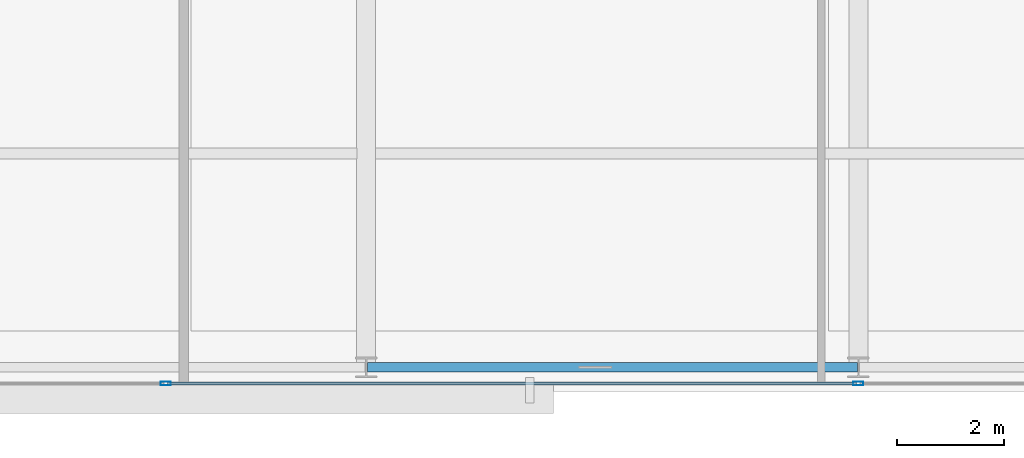
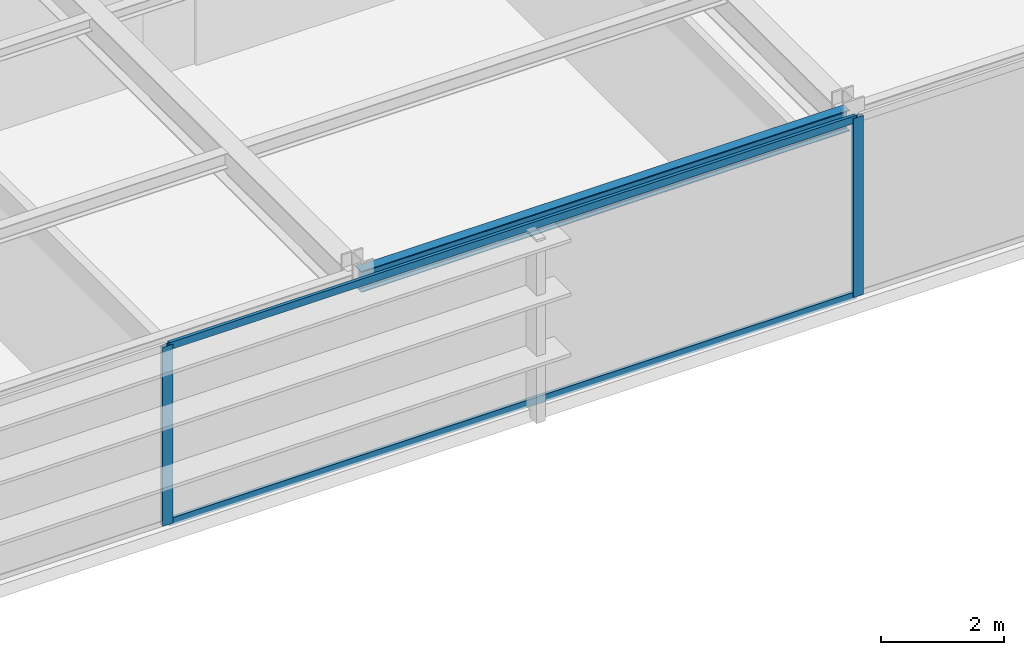
# One storey, part 8 of 33: 4 members, 1 beam, 1 element without a shape of its own.
"""IFC4 building model written with IfcOpenShell, lengths in metres."""

from ifc_helpers import new_model, si_unit, direction, frame, origin, origin_2d, place, context, subcontext, project, spatial, hollow_rectangle, i_section, extrude, source, transform, mapped, material, layer, layer_set, material_profile, profile_set, type_object, type_shapes, element, aggregate, save


model = new_model("IFC4")

# Units and contexts
model_context = context("Model", 3, precision=1e-05, world=origin(), true_north=direction((0.0, 1.0)))
body_context = subcontext(model_context, "Body", "Model", "MODEL_VIEW")
ifc_project = project(units=[si_unit("LENGTHUNIT", "METRE"), si_unit("AREAUNIT", "SQUARE_METRE"), si_unit("VOLUMEUNIT", "CUBIC_METRE"), si_unit("PLANEANGLEUNIT", "RADIAN"), si_unit("MASSUNIT", "GRAM", prefix="KILO")], contexts=[model_context])

# Site, building, storey
site_placement = place(None, origin())
site = spatial("IfcSite", under=ifc_project, at=site_placement, CompositionType="ELEMENT")
building_placement = place(site_placement, origin())
building = spatial("IfcBuilding", under=site, at=building_placement, Name="Varnel Quay Broadcast Tower", CompositionType="ELEMENT")
storey_placement = place(building_placement, frame((0.0, 0.0, 129.60009765625)))
storey = spatial("IfcBuildingStorey", under=building, at=storey_placement, Name="L31", CompositionType="ELEMENT", Elevation=129.60009765625)

# Beam
ifc_material_1 = material(Name="Structural Steel CSA G40.21 350W", Category="steel")
ifc_material_profile_1 = material_profile(ifc_material_1, i_section(OverallWidth=0.180908203125, OverallDepth=0.4169921875, WebThickness=0.010986328125, FlangeThickness=0.018310546875, FilletRadius=0.011962890625, at=origin_2d()), Name="W410X85")
ifc_profile_set_1 = profile_set([ifc_material_profile_1], Name="Structural Steel CSA G40.21 350W")
beam_type = type_object("IfcBeamType", Name="Beam_W410X85", PredefinedType="SPANDREL", material=ifc_profile_set_1)
shared_shape_1 = source(origin(), body_context, "Body", "SweptSolid", [
    extrude(i_section(OverallWidth=0.180908203125, OverallDepth=0.4169921875, WebThickness=0.010986328125, FlangeThickness=0.018310546875, FilletRadius=0.011962890625, at=origin_2d()), origin(), (0.0, 0.0, 1.0), 9.159912109375),
])
type_shapes(beam_type, [shared_shape_1])
beam_placement = place(storey_placement, frame((24.820068359375, 4.64990234375, 3.34130859375), z_axis=(1.0, 0.0, 0.0), x_axis=(0.0, 1.0, 0.0)))
element("IfcBeam", 1, at=beam_placement, inside=storey, type_object=beam_type, Name="L31 South Spandrel TC-S2-TC-S3", PredefinedType="SPANDREL", context=body_context, shape_type="MappedRepresentation", body=[
    mapped(shared_shape_1, transform((0.0, 0.0, 0.0), x_axis=(1.0, 0.0, 0.0), y_axis=(0.0, 1.0, 0.0), z_axis=(0.0, 0.0, 1.0), scale=1.0)),
])

# Curtain wall, members
ifc_material_2 = material(Name="Anodised Bronze Aluminium 6063-T6", Category="aluminium")
ifc_layer = layer(ifc_material_2, 0.18994140625, Name="Anodised Bronze Aluminium 6063-T6")
ifc_layer_set = layer_set([ifc_layer], Name="Anodised Bronze Aluminium 6063-T6")
curtain_wall_type = type_object("IfcCurtainWallType", Name="CW_LowerTower", PredefinedType="NOTDEFINED", material=ifc_layer_set)
curtain_wall_placement = place(storey_placement, origin())
curtain_wall = element("IfcCurtainWall", 2, at=curtain_wall_placement, inside=storey, type_object=curtain_wall_type, Name="L31 South Unitised Curtain Wall 1", PredefinedType="NOTDEFINED")
ifc_material_profile_2 = material_profile(ifc_material_2, hollow_rectangle(XDim=0.06005859375, YDim=0.14501953125, WallThickness=0.00341796875, at=origin_2d()), Name="ALU60X145X3.5")
ifc_profile_set_2 = profile_set([ifc_material_profile_2], Name="Anodised Bronze Aluminium 6063-T6")
member_type_1 = type_object("IfcMemberType", Name="Tran_CWS-02", PredefinedType="USERDEFINED", material=ifc_profile_set_2)
shared_shape_2 = source(origin(), body_context, "Body", "SweptSolid", [
    extrude(hollow_rectangle(XDim=0.06005859375, YDim=0.14501953125, WallThickness=0.00341796875, at=origin_2d()), origin(), (0.0, 0.0, 1.0), 12.880126953125),
])
type_shapes(member_type_1, [shared_shape_2])
member_1_placement = place(storey_placement, frame((21.0849609375, 4.35009765625, 0.02978515625), z_axis=(1.0, 0.0, 0.0), x_axis=(0.0, 1.0, 0.0)))
member_1 = element("IfcMember", 3, at=member_1_placement, type_object=member_type_1, Name="CWS-02 transom 2.1", ObjectType="TRANSOM", PredefinedType="USERDEFINED", context=body_context, shape_type="MappedRepresentation", body=[
    mapped(shared_shape_2, transform((0.0, 0.0, 0.0), x_axis=(1.0, 0.0, 0.0), y_axis=(0.0, 1.0, 0.0), z_axis=(0.0, 0.0, 1.0), scale=1.0)),
])
member_2_placement = place(storey_placement, frame((21.0849609375, 4.35009765625, 3.52001953125), z_axis=(1.0, 0.0, 0.0), x_axis=(0.0, 1.0, 0.0)))
member_2 = element("IfcMember", 4, at=member_2_placement, type_object=member_type_1, Name="CWS-02 transom 2.2", ObjectType="TRANSOM", PredefinedType="USERDEFINED", context=body_context, shape_type="MappedRepresentation", body=[
    mapped(shared_shape_2, transform((0.0, 0.0, 0.0), x_axis=(1.0, 0.0, 0.0), y_axis=(0.0, 1.0, 0.0), z_axis=(0.0, 0.0, 1.0), scale=1.0)),
])
ifc_material_profile_3 = material_profile(ifc_material_2, hollow_rectangle(XDim=0.070068359375, YDim=0.18994140625, WallThickness=0.00390625, at=origin_2d()), Name="ALU70X190X4")
ifc_profile_set_3 = profile_set([ifc_material_profile_3], Name="Anodised Bronze Aluminium 6063-T6")
member_type_2 = type_object("IfcMemberType", Name="Mull_CWS-02", PredefinedType="MULLION", material=ifc_profile_set_3)
shared_shape_3 = source(origin(), body_context, "Body", "SweptSolid", [
    extrude(hollow_rectangle(XDim=0.070068359375, YDim=0.18994140625, WallThickness=0.00390625, at=origin_2d()), origin(), (0.0, 0.0, 1.0), 3.5498046875),
])
type_shapes(member_type_2, [shared_shape_3])
member_3_placement = place(storey_placement, frame((21.050048828125, 4.35009765625, 0.0), z_axis=(0.0, 0.0, 1.0), x_axis=(0.0, 1.0, 0.0)))
member_3 = element("IfcMember", 5, at=member_3_placement, type_object=member_type_2, Name="CWS-02 mullion 2", PredefinedType="MULLION", context=body_context, shape_type="MappedRepresentation", body=[
    mapped(shared_shape_3, transform((0.0, 0.0, 0.0), x_axis=(1.0, 0.0, 0.0), y_axis=(0.0, 1.0, 0.0), z_axis=(0.0, 0.0, 1.0), scale=1.0)),
])
member_4_placement = place(storey_placement, frame((34.0, 4.35009765625, 0.0), z_axis=(0.0, 0.0, 1.0), x_axis=(0.0, 1.0, 0.0)))
member_4 = element("IfcMember", 6, at=member_4_placement, type_object=member_type_2, Name="CWS-02 mullion 3", PredefinedType="MULLION", context=body_context, shape_type="MappedRepresentation", body=[
    mapped(shared_shape_3, transform((0.0, 0.0, 0.0), x_axis=(1.0, 0.0, 0.0), y_axis=(0.0, 1.0, 0.0), z_axis=(0.0, 0.0, 1.0), scale=1.0)),
])
aggregate(curtain_wall, [member_3, member_4, member_1, member_2])

save(model, "model.ifc")
